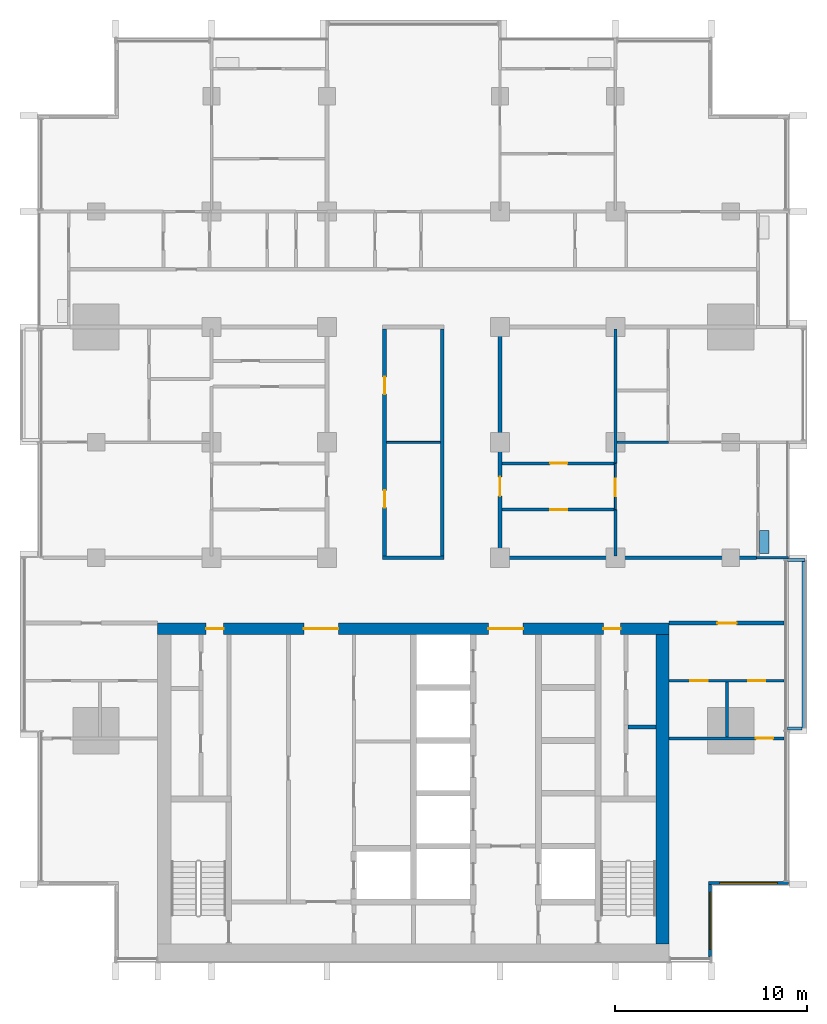
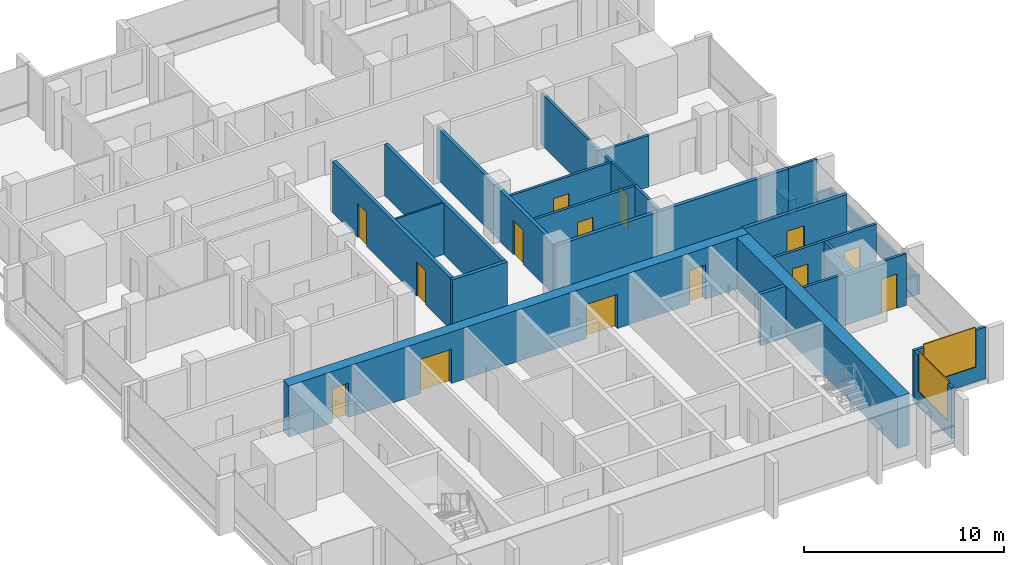
# One storey, part 9 of 17: 26 walls, 14 doors, 2 windows, 16 openings.
"""IFC4 building model written with IfcOpenShell, lengths in metres."""

from ifc_helpers import new_model, si_unit, direction, frame, frame_2d, origin, place, context, subcontext, project, spatial, rectangle, extrude, material, layer, layer_set, type_object, element, fill, save


model = new_model("IFC4")

# Units and contexts
model_context = context("Model", 3, precision=1e-05, world=origin(), true_north=direction((0.0, 1.0)))
body_context = subcontext(model_context, "Body", "Model", "MODEL_VIEW")
ifc_project = project(units=[si_unit("LENGTHUNIT", "METRE"), si_unit("AREAUNIT", "SQUARE_METRE"), si_unit("VOLUMEUNIT", "CUBIC_METRE"), si_unit("PLANEANGLEUNIT", "RADIAN"), si_unit("MASSUNIT", "GRAM", prefix="KILO")], contexts=[model_context])

# Site, building, storey
site_placement = place(None, origin())
site = spatial("IfcSite", under=ifc_project, at=site_placement, CompositionType="ELEMENT")
building_placement = place(site_placement, origin())
building = spatial("IfcBuilding", under=site, at=building_placement, Name="Finial Court Residences", CompositionType="ELEMENT")
storey_placement = place(building_placement, frame((0.0, 0.0, 196.10009765625)))
storey = spatial("IfcBuildingStorey", under=building, at=storey_placement, Name="L49", CompositionType="ELEMENT", Elevation=196.10009765625)

# Wall, openings, doors
ifc_material_1 = material(Name="Concrete C70/85", Category="concrete")
ifc_layer_1 = layer(ifc_material_1, 0.60009765625)
ifc_layer_set_1 = layer_set([ifc_layer_1], Name="Core outer wall 600 Concrete C70/85")
wall_type_1 = type_object("IfcWallType", Name="Core outer wall 600 Concrete C70/85", PredefinedType="SHEAR", material=ifc_layer_set_1)
wall_1_placement = place(storey_placement, frame((-13.300048828125, -8.199951171875, 0.0), z_axis=(0.0, 0.0, 1.0), x_axis=(1.0, 0.0, 0.0)))
wall_1 = element("IfcWall", 1, at=wall_1_placement, inside=storey, type_object=wall_type_1, Name="Core outer wall L49-02", PredefinedType="SHEAR", context=body_context, shape_type="SweptSolid", body=[
    extrude(rectangle(XDim=26.60009765625, YDim=0.60009765625, at=frame_2d((13.300048828125, 0.0))), origin(), (0.0, 0.0, 1.0), 3.14990234375),
])
opening_1_placement = place(wall_1_placement, frame((7.60009765625, 0.0, 0.0)))
opening_1 = element("IfcOpeningElement", 2, at=opening_1_placement, cuts=wall_1, Name="Opening L49-C04", PredefinedType="OPENING", context=body_context, shape_type="SweptSolid", body=[
    extrude(rectangle(XDim=1.800048828125, YDim=2.10009765625, at=frame_2d((0.89990234375, 1.050048828125))), frame((0.0, 0.31005859375, 0.0), z_axis=(0.0, -1.0, 0.0), x_axis=(1.0, 0.0, 0.0)), (0.0, 0.0, 1.0), 0.6201171875),
])
opening_2_placement = place(wall_1_placement, frame((17.199951171875, 0.0, 0.0)))
opening_2 = element("IfcOpeningElement", 3, at=opening_2_placement, cuts=wall_1, Name="Opening L49-C05", PredefinedType="OPENING", context=body_context, shape_type="SweptSolid", body=[
    extrude(rectangle(XDim=1.800048828125, YDim=2.10009765625, at=frame_2d((0.89990234375, 1.050048828125))), frame((0.0, 0.31005859375, 0.0), z_axis=(0.0, -1.0, 0.0), x_axis=(1.0, 0.0, 0.0)), (0.0, 0.0, 1.0), 0.6201171875),
])
opening_3_placement = place(wall_1_placement, frame((2.52490234375, 0.0, 0.0)))
opening_3 = element("IfcOpeningElement", 4, at=opening_3_placement, cuts=wall_1, Name="Opening L49-C10", PredefinedType="OPENING", context=body_context, shape_type="SweptSolid", body=[
    extrude(rectangle(XDim=0.89990234375, YDim=2.10009765625, at=frame_2d((0.449951171875, 1.050048828125))), frame((0.0, 0.31005859375, 0.0), z_axis=(0.0, -1.0, 0.0), x_axis=(1.0, 0.0, 0.0)), (0.0, 0.0, 1.0), 0.6201171875),
])
opening_4_placement = place(wall_1_placement, frame((23.175048828125, 0.0, 0.0)))
opening_4 = element("IfcOpeningElement", 5, at=opening_4_placement, cuts=wall_1, Name="Opening L49-C11", PredefinedType="OPENING", context=body_context, shape_type="SweptSolid", body=[
    extrude(rectangle(XDim=0.89990234375, YDim=2.10009765625, at=frame_2d((0.449951171875, 1.050048828125))), frame((0.0, 0.31005859375, 0.0), z_axis=(0.0, -1.0, 0.0), x_axis=(1.0, 0.0, 0.0)), (0.0, 0.0, 1.0), 0.6201171875),
])
ifc_material_2 = material(Name="Steel fire door", Category="steel")
door_type_1 = type_object("IfcDoorType", Name="Lift lobby door 1800 x 2100 EI 60", OperationType="DOUBLE_DOOR_SINGLE_SWING", PredefinedType="DOOR", material=ifc_material_2)
door_1_placement = place(opening_1_placement, origin())
door_1 = element("IfcDoor", 6, at=door_1_placement, inside=storey, type_object=door_type_1, Name="Lift lobby door L49-C04", OperationType="DOUBLE_DOOR_SINGLE_SWING", OverallHeight=2.10009765625, OverallWidth=1.800048828125, PredefinedType="DOOR", context=body_context, shape_type="SweptSolid", body=[
    extrude(rectangle(XDim=1.800048828125, YDim=2.10009765625, at=frame_2d((0.89990234375, 1.050048828125))), frame((0.0, 0.02490234375, 0.0), z_axis=(0.0, -1.0, 0.0), x_axis=(1.0, 0.0, 0.0)), (0.0, 0.0, 1.0), 0.050048828125),
])
fill(opening_1, door_1)
door_2_placement = place(opening_2_placement, origin())
door_2 = element("IfcDoor", 7, at=door_2_placement, inside=storey, type_object=door_type_1, Name="Lift lobby door L49-C05", OperationType="DOUBLE_DOOR_SINGLE_SWING", OverallHeight=2.10009765625, OverallWidth=1.800048828125, PredefinedType="DOOR", context=body_context, shape_type="SweptSolid", body=[
    extrude(rectangle(XDim=1.800048828125, YDim=2.10009765625, at=frame_2d((0.89990234375, 1.050048828125))), frame((0.0, 0.02490234375, 0.0), z_axis=(0.0, -1.0, 0.0), x_axis=(1.0, 0.0, 0.0)), (0.0, 0.0, 1.0), 0.050048828125),
])
fill(opening_2, door_2)
door_type_2 = type_object("IfcDoorType", Name="Riser room door 900 x 2100 EI 90", OperationType="NOTDEFINED", PredefinedType="DOOR", material=ifc_material_2)
door_3_placement = place(opening_3_placement, origin())
door_3 = element("IfcDoor", 8, at=door_3_placement, inside=storey, type_object=door_type_2, Name="Riser room door L49-C10", OperationType="SINGLE_SWING_RIGHT", OverallHeight=2.10009765625, OverallWidth=0.89990234375, PredefinedType="DOOR", context=body_context, shape_type="SweptSolid", body=[
    extrude(rectangle(XDim=0.89990234375, YDim=2.10009765625, at=frame_2d((0.449951171875, 1.050048828125))), frame((0.0, 0.02490234375, 0.0), z_axis=(0.0, -1.0, 0.0), x_axis=(1.0, 0.0, 0.0)), (0.0, 0.0, 1.0), 0.050048828125),
])
fill(opening_3, door_3)
door_4_placement = place(opening_4_placement, origin())
door_4 = element("IfcDoor", 9, at=door_4_placement, inside=storey, type_object=door_type_2, Name="Riser room door L49-C11", OperationType="SINGLE_SWING_LEFT", OverallHeight=2.10009765625, OverallWidth=0.89990234375, PredefinedType="DOOR", context=body_context, shape_type="SweptSolid", body=[
    extrude(rectangle(XDim=0.89990234375, YDim=2.10009765625, at=frame_2d((0.449951171875, 1.050048828125))), frame((0.0, 0.02490234375, 0.0), z_axis=(0.0, -1.0, 0.0), x_axis=(1.0, 0.0, 0.0)), (0.0, 0.0, 1.0), 0.050048828125),
])
fill(opening_4, door_4)

# Wall
ifc_layer_2 = layer(ifc_material_1, 0.699951171875)
ifc_layer_set_2 = layer_set([ifc_layer_2], Name="Core outer wall 700 Concrete C70/85")
wall_type_2 = type_object("IfcWallType", Name="Core outer wall 700 Concrete C70/85", PredefinedType="SHEAR", material=ifc_layer_set_2)
wall_2_placement = place(storey_placement, frame((12.949951171875, -24.60009765625, 0.0), z_axis=(0.0, 0.0, 1.0), x_axis=(0.0, 1.0, 0.0)))
element("IfcWall", 10, at=wall_2_placement, inside=storey, type_object=wall_type_2, Name="Core outer wall L49-04", PredefinedType="SHEAR", context=body_context, shape_type="SweptSolid", body=[
    extrude(rectangle(XDim=16.10009765625, YDim=0.699951171875, at=frame_2d((8.050048828125, 0.0))), origin(), (0.0, 0.0, 1.0), 3.14990234375),
])

# Wall, opening, door
ifc_material_3 = material(Name="Gypsum board")
ifc_layer_3 = layer(ifc_material_3, 0.02490234375)
ifc_material_4 = material(Name="Acoustic mineral wool in double frame")
ifc_layer_4 = layer(ifc_material_4, 0.14990234375)
ifc_layer_5 = layer(ifc_material_3, 0.02490234375)
ifc_layer_set_3 = layer_set([ifc_layer_3, ifc_layer_4, ifc_layer_5], Name="Corridor wall 200, 1 hour")
wall_type_3 = type_object("IfcWallType", Name="Corridor wall 200, 1 hour", PredefinedType="PARTITIONING", material=ifc_layer_set_3)
wall_3_placement = place(storey_placement, frame((13.300048828125, -7.89990234375, 0.0), z_axis=(0.0, 0.0, 1.0), x_axis=(1.0, 0.0, 0.0)))
wall_3 = element("IfcWall", 11, at=wall_3_placement, inside=storey, type_object=wall_type_3, Name="Partition L49-005", PredefinedType="PARTITIONING", context=body_context, shape_type="SweptSolid", body=[
    extrude(rectangle(XDim=5.96240234375, YDim=0.199951171875, at=frame_2d((2.981201171875, 0.0))), origin(), (0.0, 0.0, 1.0), 3.14990234375),
])
opening_5_placement = place(wall_3_placement, frame((2.5, 0.0, 0.0)))
opening_5 = element("IfcOpeningElement", 12, at=opening_5_placement, cuts=wall_3, Name="Opening L49-D008", PredefinedType="OPENING", context=body_context, shape_type="SweptSolid", body=[
    extrude(rectangle(XDim=1.0, YDim=2.10009765625, at=frame_2d((0.5, 1.050048828125))), frame((0.0, 0.10986328125, 0.0), z_axis=(0.0, -1.0, 0.0), x_axis=(1.0, 0.0, 0.0)), (0.0, 0.0, 1.0), 0.219970703125),
])
ifc_material_5 = material(Name="Timber door leaf in hollow metal frame", Category="wood")
door_type_3 = type_object("IfcDoorType", Name="Fire door set 1000 x 2100, 30 minutes", OperationType="SINGLE_SWING_LEFT", PredefinedType="DOOR", material=ifc_material_5)
door_5_placement = place(opening_5_placement, origin())
door_5 = element("IfcDoor", 13, at=door_5_placement, inside=storey, type_object=door_type_3, Name="Door L49-D008", OperationType="SINGLE_SWING_RIGHT", OverallHeight=2.10009765625, OverallWidth=1.0, PredefinedType="DOOR", context=body_context, shape_type="SweptSolid", body=[
    extrude(rectangle(XDim=1.0, YDim=2.10009765625, at=frame_2d((0.5, 1.050048828125))), frame((0.0, 0.02490234375, 0.0), z_axis=(0.0, -1.0, 0.0), x_axis=(1.0, 0.0, 0.0)), (0.0, 0.0, 1.0), 0.050048828125),
])
fill(opening_5, door_5)

# Walls
wall_4_placement = place(storey_placement, frame((-1.60009765625, -4.5, 0.0), z_axis=(0.0, 0.0, 1.0), x_axis=(1.0, 0.0, 0.0)))
element("IfcWall", 14, at=wall_4_placement, inside=storey, type_object=wall_type_3, Name="Partition L49-007", PredefinedType="PARTITIONING", context=body_context, shape_type="SweptSolid", body=[
    extrude(rectangle(XDim=3.2001953125, YDim=0.199951171875, at=frame_2d((1.60009765625, 0.0))), origin(), (0.0, 0.0, 1.0), 3.14990234375),
])
wall_5_placement = place(storey_placement, frame((4.39990234375, -4.5, 0.0), z_axis=(0.0, 0.0, 1.0), x_axis=(1.0, 0.0, 0.0)))
element("IfcWall", 15, at=wall_5_placement, inside=storey, type_object=wall_type_3, Name="Partition L49-008", PredefinedType="PARTITIONING", context=body_context, shape_type="SweptSolid", body=[
    extrude(rectangle(XDim=13.4501953125, YDim=0.199951171875, at=frame_2d((6.72509765625, 0.0))), origin(), (0.0, 0.0, 1.0), 3.14990234375),
])

# Wall, openings, doors
wall_6_placement = place(storey_placement, frame((-1.5, -4.39990234375, 0.0), z_axis=(0.0, 0.0, 1.0), x_axis=(0.0, 1.0, 0.0)))
wall_6 = element("IfcWall", 16, at=wall_6_placement, inside=storey, type_object=wall_type_3, Name="Partition L49-051", PredefinedType="PARTITIONING", context=body_context, shape_type="SweptSolid", body=[
    extrude(rectangle(XDim=11.7998046875, YDim=0.199951171875, at=frame_2d((5.89990234375, 0.0))), origin(), (0.0, 0.0, 1.0), 3.14990234375),
])
opening_6_placement = place(wall_6_placement, frame((2.5, 0.0, 0.0)))
opening_6 = element("IfcOpeningElement", 17, at=opening_6_placement, cuts=wall_6, Name="Opening L49-D034", PredefinedType="OPENING", context=body_context, shape_type="SweptSolid", body=[
    extrude(rectangle(XDim=0.89990234375, YDim=2.10009765625, at=frame_2d((0.449951171875, 1.050048828125))), frame((0.0, 0.10986328125, 0.0), z_axis=(0.0, -1.0, 0.0), x_axis=(1.0, 0.0, 0.0)), (0.0, 0.0, 1.0), 0.219970703125),
])
opening_7_placement = place(wall_6_placement, frame((8.39990234375, 0.0, 0.0)))
opening_7 = element("IfcOpeningElement", 18, at=opening_7_placement, cuts=wall_6, Name="Opening L49-D035", PredefinedType="OPENING", context=body_context, shape_type="SweptSolid", body=[
    extrude(rectangle(XDim=0.89990234375, YDim=2.10009765625, at=frame_2d((0.449951171875, 1.050048828125))), frame((0.0, 0.10986328125, 0.0), z_axis=(0.0, -1.0, 0.0), x_axis=(1.0, 0.0, 0.0)), (0.0, 0.0, 1.0), 0.219970703125),
])
door_type_4 = type_object("IfcDoorType", Name="Fire door set 900 x 2100, 30 minutes", OperationType="SINGLE_SWING_LEFT", PredefinedType="DOOR", material=ifc_material_5)
door_6_placement = place(opening_6_placement, origin())
door_6 = element("IfcDoor", 19, at=door_6_placement, inside=storey, type_object=door_type_4, Name="Door L49-D034", OperationType="SINGLE_SWING_LEFT", OverallHeight=2.10009765625, OverallWidth=0.89990234375, PredefinedType="DOOR", context=body_context, shape_type="SweptSolid", body=[
    extrude(rectangle(XDim=0.89990234375, YDim=2.10009765625, at=frame_2d((0.449951171875, 1.050048828125))), frame((0.0, 0.02490234375, 0.0), z_axis=(0.0, -1.0, 0.0), x_axis=(1.0, 0.0, 0.0)), (0.0, 0.0, 1.0), 0.050048828125),
])
fill(opening_6, door_6)
door_7_placement = place(opening_7_placement, origin())
door_7 = element("IfcDoor", 20, at=door_7_placement, inside=storey, type_object=door_type_4, Name="Door L49-D035", OperationType="SINGLE_SWING_RIGHT", OverallHeight=2.10009765625, OverallWidth=0.89990234375, PredefinedType="DOOR", context=body_context, shape_type="SweptSolid", body=[
    extrude(rectangle(XDim=0.89990234375, YDim=2.10009765625, at=frame_2d((0.449951171875, 1.050048828125))), frame((0.0, 0.02490234375, 0.0), z_axis=(0.0, -1.0, 0.0), x_axis=(1.0, 0.0, 0.0)), (0.0, 0.0, 1.0), 0.050048828125),
])
fill(opening_7, door_7)

# Wall
wall_7_placement = place(storey_placement, frame((1.5, -4.39990234375, 0.0), z_axis=(0.0, 0.0, 1.0), x_axis=(0.0, 1.0, 0.0)))
element("IfcWall", 21, at=wall_7_placement, inside=storey, type_object=wall_type_3, Name="Partition L49-053", PredefinedType="PARTITIONING", context=body_context, shape_type="SweptSolid", body=[
    extrude(rectangle(XDim=11.7998046875, YDim=0.199951171875, at=frame_2d((5.89990234375, 0.0))), origin(), (0.0, 0.0, 1.0), 3.14990234375),
])

# Wall, opening, door
wall_8_placement = place(storey_placement, frame((4.5, -4.39990234375, 0.0), z_axis=(0.0, 0.0, 1.0), x_axis=(0.0, 1.0, 0.0)))
wall_8 = element("IfcWall", 22, at=wall_8_placement, inside=storey, type_object=wall_type_3, Name="Partition L49-054", PredefinedType="PARTITIONING", context=body_context, shape_type="SweptSolid", body=[
    extrude(rectangle(XDim=11.7998046875, YDim=0.199951171875, at=frame_2d((5.89990234375, 0.0))), origin(), (0.0, 0.0, 1.0), 3.14990234375),
])
opening_8_placement = place(wall_8_placement, frame((3.10009765625, 0.0, 0.0)))
opening_8 = element("IfcOpeningElement", 23, at=opening_8_placement, cuts=wall_8, Name="Opening L49-D037", PredefinedType="OPENING", context=body_context, shape_type="SweptSolid", body=[
    extrude(rectangle(XDim=1.0, YDim=2.10009765625, at=frame_2d((0.5, 1.050048828125))), frame((0.0, 0.10986328125, 0.0), z_axis=(0.0, -1.0, 0.0), x_axis=(1.0, 0.0, 0.0)), (0.0, 0.0, 1.0), 0.219970703125),
])
door_8_placement = place(opening_8_placement, origin())
door_8 = element("IfcDoor", 24, at=door_8_placement, inside=storey, type_object=door_type_3, Name="Door L49-D037", OperationType="SINGLE_SWING_LEFT", OverallHeight=2.10009765625, OverallWidth=1.0, PredefinedType="DOOR", context=body_context, shape_type="SweptSolid", body=[
    extrude(rectangle(XDim=1.0, YDim=2.10009765625, at=frame_2d((0.5, 1.050048828125))), frame((0.0, 0.02490234375, 0.0), z_axis=(0.0, -1.0, 0.0), x_axis=(1.0, 0.0, 0.0)), (0.0, 0.0, 1.0), 0.050048828125),
])
fill(opening_8, door_8)

# Wall
ifc_layer_6 = layer(ifc_material_3, 0.012451171875)
ifc_material_6 = material(Name="Mineral wool in light-gauge frame")
ifc_layer_7 = layer(ifc_material_6, 0.074951171875)
ifc_layer_8 = layer(ifc_material_3, 0.012451171875)
ifc_layer_set_4 = layer_set([ifc_layer_6, ifc_layer_7, ifc_layer_8], Name="Gypsum board partition 100")
wall_type_4 = type_object("IfcWallType", Name="Gypsum board partition 100", PredefinedType="PARTITIONING", material=ifc_layer_set_4)
wall_9_placement = place(storey_placement, frame((-1.39990234375, 1.5, 0.0), z_axis=(0.0, 0.0, 1.0), x_axis=(1.0, 0.0, 0.0)))
element("IfcWall", 25, at=wall_9_placement, inside=storey, type_object=wall_type_4, Name="Partition L49-014", PredefinedType="PARTITIONING", context=body_context, shape_type="SweptSolid", body=[
    extrude(rectangle(XDim=2.7998046875, YDim=0.10009765625, at=frame_2d((1.39990234375, 0.0))), origin(), (0.0, 0.0, 1.0), 3.14990234375),
])

# Wall, opening, door
wall_10_placement = place(storey_placement, frame((10.5, -2.0, 0.0), z_axis=(0.0, 0.0, 1.0), x_axis=(0.0, 1.0, 0.0)))
wall_10 = element("IfcWall", 26, at=wall_10_placement, inside=storey, type_object=wall_type_4, Name="Partition L49-057", PredefinedType="PARTITIONING", context=body_context, shape_type="SweptSolid", body=[
    extrude(rectangle(XDim=2.39990234375, YDim=0.10009765625, at=frame_2d((1.199951171875, 0.0))), origin(), (0.0, 0.0, 1.0), 3.14990234375),
])
opening_9_placement = place(wall_10_placement, frame((0.699951171875, 0.0, 0.0)))
opening_9 = element("IfcOpeningElement", 27, at=opening_9_placement, cuts=wall_10, Name="Opening L49-D040", PredefinedType="OPENING", context=body_context, shape_type="SweptSolid", body=[
    extrude(rectangle(XDim=0.89990234375, YDim=2.10009765625, at=frame_2d((0.449951171875, 1.050048828125))), frame((0.0, 0.06005859375, 0.0), z_axis=(0.0, -1.0, 0.0), x_axis=(1.0, 0.0, 0.0)), (0.0, 0.0, 1.0), 0.1201171875),
])
ifc_material_7 = material(Name="Timber door leaf in timber frame", Category="wood")
door_type_5 = type_object("IfcDoorType", Name="Door set 900 x 2100", OperationType="SINGLE_SWING_LEFT", PredefinedType="DOOR", material=ifc_material_7)
door_9_placement = place(opening_9_placement, origin())
door_9 = element("IfcDoor", 28, at=door_9_placement, inside=storey, type_object=door_type_5, Name="Door L49-D040", OperationType="SINGLE_SWING_LEFT", OverallHeight=2.10009765625, OverallWidth=0.89990234375, PredefinedType="DOOR", context=body_context, shape_type="SweptSolid", body=[
    extrude(rectangle(XDim=0.89990234375, YDim=2.10009765625, at=frame_2d((0.449951171875, 1.050048828125))), frame((0.0, 0.02490234375, 0.0), z_axis=(0.0, -1.0, 0.0), x_axis=(1.0, 0.0, 0.0)), (0.0, 0.0, 1.0), 0.050048828125),
])
fill(opening_9, door_9)

ifc_material_8 = material(Name="Moisture-resistant gypsum board")
ifc_layer_9 = layer(ifc_material_8, 0.012451171875)
ifc_layer_10 = layer(ifc_material_6, 0.125)
ifc_layer_11 = layer(ifc_material_8, 0.012451171875)
ifc_layer_set_5 = layer_set([ifc_layer_9, ifc_layer_10, ifc_layer_11], Name="Gypsum board wet-area partition 150")
wall_type_5 = type_object("IfcWallType", Name="Gypsum board wet-area partition 150", PredefinedType="PARTITIONING", material=ifc_layer_set_5)
wall_11_placement = place(storey_placement, frame((13.300048828125, -13.89990234375, 0.0), z_axis=(0.0, 0.0, 1.0), x_axis=(1.0, 0.0, 0.0)))
wall_11 = element("IfcWall", 29, at=wall_11_placement, inside=storey, type_object=wall_type_5, Name="Partition L49-001", PredefinedType="PARTITIONING", context=body_context, shape_type="SweptSolid", body=[
    extrude(rectangle(XDim=5.96240234375, YDim=0.14990234375, at=frame_2d((2.981201171875, 0.0))), origin(), (0.0, 0.0, 1.0), 3.14990234375),
])
opening_10_placement = place(wall_11_placement, frame((4.5, 0.0, 0.0)))
opening_10 = element("IfcOpeningElement", 30, at=opening_10_placement, cuts=wall_11, Name="Opening L49-D002", PredefinedType="OPENING", context=body_context, shape_type="SweptSolid", body=[
    extrude(rectangle(XDim=0.89990234375, YDim=2.10009765625, at=frame_2d((0.449951171875, 1.050048828125))), frame((0.0, 0.0849609375, 0.0), z_axis=(0.0, -1.0, 0.0), x_axis=(1.0, 0.0, 0.0)), (0.0, 0.0, 1.0), 0.169921875),
])
door_10_placement = place(opening_10_placement, origin())
door_10 = element("IfcDoor", 31, at=door_10_placement, inside=storey, type_object=door_type_5, Name="Door L49-D002", OperationType="SINGLE_SWING_RIGHT", OverallHeight=2.10009765625, OverallWidth=0.89990234375, PredefinedType="DOOR", context=body_context, shape_type="SweptSolid", body=[
    extrude(rectangle(XDim=0.89990234375, YDim=2.10009765625, at=frame_2d((0.449951171875, 1.050048828125))), frame((0.0, 0.02490234375, 0.0), z_axis=(0.0, -1.0, 0.0), x_axis=(1.0, 0.0, 0.0)), (0.0, 0.0, 1.0), 0.050048828125),
])
fill(opening_10, door_10)

# Wall, openings, doors
wall_12_placement = place(storey_placement, frame((13.300048828125, -10.89990234375, 0.0), z_axis=(0.0, 0.0, 1.0), x_axis=(1.0, 0.0, 0.0)))
wall_12 = element("IfcWall", 32, at=wall_12_placement, inside=storey, type_object=wall_type_5, Name="Partition L49-003", PredefinedType="PARTITIONING", context=body_context, shape_type="SweptSolid", body=[
    extrude(rectangle(XDim=5.96240234375, YDim=0.14990234375, at=frame_2d((2.981201171875, 0.0))), origin(), (0.0, 0.0, 1.0), 3.14990234375),
])
opening_11_placement = place(wall_12_placement, frame((1.10009765625, 0.0, 0.0)))
opening_11 = element("IfcOpeningElement", 33, at=opening_11_placement, cuts=wall_12, Name="Opening L49-D005", PredefinedType="OPENING", context=body_context, shape_type="SweptSolid", body=[
    extrude(rectangle(XDim=0.89990234375, YDim=2.10009765625, at=frame_2d((0.449951171875, 1.050048828125))), frame((0.0, 0.0849609375, 0.0), z_axis=(0.0, -1.0, 0.0), x_axis=(1.0, 0.0, 0.0)), (0.0, 0.0, 1.0), 0.169921875),
])
opening_12_placement = place(wall_12_placement, frame((4.10009765625, 0.0, 0.0)))
opening_12 = element("IfcOpeningElement", 34, at=opening_12_placement, cuts=wall_12, Name="Opening L49-D006", PredefinedType="OPENING", context=body_context, shape_type="SweptSolid", body=[
    extrude(rectangle(XDim=0.89990234375, YDim=2.10009765625, at=frame_2d((0.449951171875, 1.050048828125))), frame((0.0, 0.0849609375, 0.0), z_axis=(0.0, -1.0, 0.0), x_axis=(1.0, 0.0, 0.0)), (0.0, 0.0, 1.0), 0.169921875),
])
door_11_placement = place(opening_11_placement, origin())
door_11 = element("IfcDoor", 35, at=door_11_placement, inside=storey, type_object=door_type_5, Name="Door L49-D005", OperationType="SINGLE_SWING_LEFT", OverallHeight=2.10009765625, OverallWidth=0.89990234375, PredefinedType="DOOR", context=body_context, shape_type="SweptSolid", body=[
    extrude(rectangle(XDim=0.89990234375, YDim=2.10009765625, at=frame_2d((0.449951171875, 1.050048828125))), frame((0.0, 0.02490234375, 0.0), z_axis=(0.0, -1.0, 0.0), x_axis=(1.0, 0.0, 0.0)), (0.0, 0.0, 1.0), 0.050048828125),
])
fill(opening_11, door_11)
door_12_placement = place(opening_12_placement, origin())
door_12 = element("IfcDoor", 36, at=door_12_placement, inside=storey, type_object=door_type_5, Name="Door L49-D006", OperationType="SINGLE_SWING_RIGHT", OverallHeight=2.10009765625, OverallWidth=0.89990234375, PredefinedType="DOOR", context=body_context, shape_type="SweptSolid", body=[
    extrude(rectangle(XDim=0.89990234375, YDim=2.10009765625, at=frame_2d((0.449951171875, 1.050048828125))), frame((0.0, 0.02490234375, 0.0), z_axis=(0.0, -1.0, 0.0), x_axis=(1.0, 0.0, 0.0)), (0.0, 0.0, 1.0), 0.050048828125),
])
fill(opening_12, door_12)

# Wall, opening, door
wall_13_placement = place(storey_placement, frame((4.60009765625, -2.0, 0.0), z_axis=(0.0, 0.0, 1.0), x_axis=(1.0, 0.0, 0.0)))
wall_13 = element("IfcWall", 37, at=wall_13_placement, inside=storey, type_object=wall_type_5, Name="Partition L49-010", PredefinedType="PARTITIONING", context=body_context, shape_type="SweptSolid", body=[
    extrude(rectangle(XDim=5.824951171875, YDim=0.14990234375, at=frame_2d((2.91259765625, 0.0))), origin(), (0.0, 0.0, 1.0), 3.14990234375),
])
opening_13_placement = place(wall_13_placement, frame((2.5, 0.0, 0.0)))
opening_13 = element("IfcOpeningElement", 38, at=opening_13_placement, cuts=wall_13, Name="Opening L49-D010", PredefinedType="OPENING", context=body_context, shape_type="SweptSolid", body=[
    extrude(rectangle(XDim=0.89990234375, YDim=2.10009765625, at=frame_2d((0.449951171875, 1.050048828125))), frame((0.0, 0.0849609375, 0.0), z_axis=(0.0, -1.0, 0.0), x_axis=(1.0, 0.0, 0.0)), (0.0, 0.0, 1.0), 0.169921875),
])
door_13_placement = place(opening_13_placement, origin())
door_13 = element("IfcDoor", 39, at=door_13_placement, inside=storey, type_object=door_type_5, Name="Door L49-D010", OperationType="SINGLE_SWING_LEFT", OverallHeight=2.10009765625, OverallWidth=0.89990234375, PredefinedType="DOOR", context=body_context, shape_type="SweptSolid", body=[
    extrude(rectangle(XDim=0.89990234375, YDim=2.10009765625, at=frame_2d((0.449951171875, 1.050048828125))), frame((0.0, 0.02490234375, 0.0), z_axis=(0.0, -1.0, 0.0), x_axis=(1.0, 0.0, 0.0)), (0.0, 0.0, 1.0), 0.050048828125),
])
fill(opening_13, door_13)

wall_14_placement = place(storey_placement, frame((4.60009765625, 0.39990234375, 0.0), z_axis=(0.0, 0.0, 1.0), x_axis=(1.0, 0.0, 0.0)))
wall_14 = element("IfcWall", 40, at=wall_14_placement, inside=storey, type_object=wall_type_5, Name="Partition L49-012", PredefinedType="PARTITIONING", context=body_context, shape_type="SweptSolid", body=[
    extrude(rectangle(XDim=5.824951171875, YDim=0.14990234375, at=frame_2d((2.91259765625, 0.0))), origin(), (0.0, 0.0, 1.0), 3.14990234375),
])
opening_14_placement = place(wall_14_placement, frame((2.5, 0.0, 0.0)))
opening_14 = element("IfcOpeningElement", 41, at=opening_14_placement, cuts=wall_14, Name="Opening L49-D012", PredefinedType="OPENING", context=body_context, shape_type="SweptSolid", body=[
    extrude(rectangle(XDim=0.89990234375, YDim=2.10009765625, at=frame_2d((0.449951171875, 1.050048828125))), frame((0.0, 0.0849609375, 0.0), z_axis=(0.0, -1.0, 0.0), x_axis=(1.0, 0.0, 0.0)), (0.0, 0.0, 1.0), 0.169921875),
])
door_14_placement = place(opening_14_placement, origin())
door_14 = element("IfcDoor", 42, at=door_14_placement, inside=storey, type_object=door_type_5, Name="Door L49-D012", OperationType="SINGLE_SWING_RIGHT", OverallHeight=2.10009765625, OverallWidth=0.89990234375, PredefinedType="DOOR", context=body_context, shape_type="SweptSolid", body=[
    extrude(rectangle(XDim=0.89990234375, YDim=2.10009765625, at=frame_2d((0.449951171875, 1.050048828125))), frame((0.0, 0.02490234375, 0.0), z_axis=(0.0, -1.0, 0.0), x_axis=(1.0, 0.0, 0.0)), (0.0, 0.0, 1.0), 0.050048828125),
])
fill(opening_14, door_14)

# Walls
wall_15_placement = place(storey_placement, frame((10.574951171875, 1.5, 0.0), z_axis=(0.0, 0.0, 1.0), x_axis=(1.0, 0.0, 0.0)))
element("IfcWall", 43, at=wall_15_placement, inside=storey, type_object=wall_type_5, Name="Partition L49-016", PredefinedType="PARTITIONING", context=body_context, shape_type="SweptSolid", body=[
    extrude(rectangle(XDim=2.675048828125, YDim=0.14990234375, at=frame_2d((1.33740234375, 0.0))), origin(), (0.0, 0.0, 1.0), 3.14990234375),
])
wall_16_placement = place(storey_placement, frame((10.5, -4.39990234375, 0.0), z_axis=(0.0, 0.0, 1.0), x_axis=(0.0, 1.0, 0.0)))
element("IfcWall", 44, at=wall_16_placement, inside=storey, type_object=wall_type_5, Name="Partition L49-059", PredefinedType="PARTITIONING", context=body_context, shape_type="SweptSolid", body=[
    extrude(rectangle(XDim=2.39990234375, YDim=0.14990234375, at=frame_2d((1.199951171875, 0.0))), origin(), (0.0, 0.0, 1.0), 3.14990234375),
])
wall_17_placement = place(storey_placement, frame((10.5, 0.39990234375, 0.0), z_axis=(0.0, 0.0, 1.0), x_axis=(0.0, 1.0, 0.0)))
element("IfcWall", 45, at=wall_17_placement, inside=storey, type_object=wall_type_5, Name="Partition L49-060", PredefinedType="PARTITIONING", context=body_context, shape_type="SweptSolid", body=[
    extrude(rectangle(XDim=7.0, YDim=0.14990234375, at=frame_2d((3.5, 0.0))), origin(), (0.0, 0.0, 1.0), 3.14990234375),
])
wall_18_placement = place(storey_placement, frame((16.300048828125, -13.824951171875, 0.0), z_axis=(0.0, 0.0, 1.0), x_axis=(0.0, 1.0, 0.0)))
element("IfcWall", 46, at=wall_18_placement, inside=storey, type_object=wall_type_5, Name="Partition L49-064", PredefinedType="PARTITIONING", context=body_context, shape_type="SweptSolid", body=[
    extrude(rectangle(XDim=2.849853515625, YDim=0.14990234375, at=frame_2d((1.4248046875, 0.0))), origin(), (0.0, 0.0, 1.0), 3.14990234375),
])
ifc_material_9 = material(Name="Concrete C35/45", Category="concrete")
ifc_layer_12 = layer(ifc_material_9, 0.14990234375)
ifc_layer_set_6 = layer_set([ifc_layer_12], Name="Ledge parapet, Concrete C35/45 150")
wall_type_6 = type_object("IfcWallType", Name="Ledge parapet, Concrete C35/45 150", PredefinedType="PARAPET", material=ifc_layer_set_6)
wall_19_placement = place(storey_placement, frame((19.447509765625, -4.625, 0.0), z_axis=(0.0, 0.0, 1.0), x_axis=(1.0, 0.0, 0.0)))
element("IfcWall", 47, at=wall_19_placement, inside=storey, type_object=wall_type_6, Name="E-L49-LED2-P1", PredefinedType="PARAPET", context=body_context, shape_type="SweptSolid", body=[
    extrude(rectangle(XDim=0.902587890625, YDim=0.14990234375, at=frame_2d((0.451171875, 0.0))), origin(), (0.0, 0.0, 1.0), 1.14990234375),
])
wall_20_placement = place(storey_placement, frame((20.27490234375, -4.699951171875, 0.0), z_axis=(0.0, 0.0, 1.0), x_axis=(0.0, -1.0, 0.0)))
element("IfcWall", 48, at=wall_20_placement, inside=storey, type_object=wall_type_6, Name="E-L49-LED2-P2", PredefinedType="PARAPET", context=body_context, shape_type="SweptSolid", body=[
    extrude(rectangle(XDim=8.75, YDim=0.14990234375, at=frame_2d((4.375, 0.0))), origin(), (0.0, 0.0, 1.0), 1.14990234375),
])
wall_21_placement = place(storey_placement, frame((20.199951171875, -13.375, 0.0), z_axis=(0.0, 0.0, 1.0), x_axis=(-1.0, 0.0, 0.0)))
element("IfcWall", 49, at=wall_21_placement, inside=storey, type_object=wall_type_6, Name="E-L49-LED2-P3", PredefinedType="PARAPET", context=body_context, shape_type="SweptSolid", body=[
    extrude(rectangle(XDim=0.75244140625, YDim=0.14990234375, at=frame_2d((0.376220703125, 0.0))), origin(), (0.0, 0.0, 1.0), 1.14990234375),
])

# Wall, opening, window
ifc_material_10 = material(Name="Natural limestone", Category="masonry")
ifc_layer_13 = layer(ifc_material_10, 0.14990234375)
ifc_layer_set_7 = layer_set([ifc_layer_13], Name="Limestone clad wall 150")
wall_type_7 = type_object("IfcWallType", Name="Limestone clad wall 150", PredefinedType="SOLIDWALL", material=ifc_layer_set_7)
wall_22_placement = place(storey_placement, frame((15.425048828125, -21.5, 0.0), z_axis=(0.0, 0.0, 1.0), x_axis=(0.0, -1.0, 0.0)))
wall_22 = element("IfcWall", 50, at=wall_22_placement, inside=storey, type_object=wall_type_7, Name="E-L49-NWE15", PredefinedType="SOLIDWALL", context=body_context, shape_type="SweptSolid", body=[
    extrude(rectangle(XDim=3.762451171875, YDim=0.14990234375, at=frame_2d((1.88134765625, 0.0))), origin(), (0.0, 0.0, 1.0), 3.14990234375),
])
opening_15_placement = place(wall_22_placement, frame((0.4013671875, 0.0, 0.89990234375)))
opening_15 = element("IfcOpeningElement", 51, at=opening_15_placement, cuts=wall_22, Name="Opening WE49-03", PredefinedType="OPENING", context=body_context, shape_type="SweptSolid", body=[
    extrude(rectangle(XDim=2.9599609375, YDim=2.39990234375, at=frame_2d((1.47998046875, 1.199951171875))), frame((0.0, 0.0849609375, 0.0), z_axis=(0.0, -1.0, 0.0), x_axis=(1.0, 0.0, 0.0)), (0.0, 0.0, 1.0), 0.169921875),
])
ifc_material_11 = material(Name="Clear low-e glass", Category="glass")
window_type_1 = type_object("IfcWindowType", Name="Corner window 2960 x 2400", PartitioningType="SINGLE_PANEL", PredefinedType="WINDOW", material=ifc_material_11)
window_1_placement = place(opening_15_placement, origin())
window_1 = element("IfcWindow", 52, at=window_1_placement, inside=storey, type_object=window_type_1, Name="E-L49-NWE15-W1", OverallHeight=2.39990234375, OverallWidth=2.9599609375, PartitioningType="SINGLE_PANEL", PredefinedType="WINDOW", context=body_context, shape_type="SweptSolid", body=[
    extrude(rectangle(XDim=2.9599609375, YDim=2.39990234375, at=frame_2d((1.47998046875, 1.199951171875))), frame((0.0, 0.030029296875, 0.0), z_axis=(0.0, -1.0, 0.0), x_axis=(1.0, 0.0, 0.0)), (0.0, 0.0, 1.0), 0.06005859375),
])
fill(opening_15, window_1)

wall_23_placement = place(storey_placement, frame((19.5, -21.425048828125, 0.0), z_axis=(0.0, 0.0, 1.0), x_axis=(-1.0, 0.0, 0.0)))
wall_23 = element("IfcWall", 53, at=wall_23_placement, inside=storey, type_object=wall_type_7, Name="E-L49-NWS16", PredefinedType="SOLIDWALL", context=body_context, shape_type="SweptSolid", body=[
    extrude(rectangle(XDim=4.14990234375, YDim=0.14990234375, at=frame_2d((2.074951171875, 0.0))), origin(), (0.0, 0.0, 1.0), 3.14990234375),
])
opening_16_placement = place(wall_23_placement, frame((0.574951171875, 0.0, 0.89990234375)))
opening_16 = element("IfcOpeningElement", 54, at=opening_16_placement, cuts=wall_23, Name="Opening WE49-04", PredefinedType="OPENING", context=body_context, shape_type="SweptSolid", body=[
    extrude(rectangle(XDim=3.0, YDim=2.39990234375, at=frame_2d((1.5, 1.199951171875))), frame((0.0, 0.0849609375, 0.0), z_axis=(0.0, -1.0, 0.0), x_axis=(1.0, 0.0, 0.0)), (0.0, 0.0, 1.0), 0.169921875),
])
window_type_2 = type_object("IfcWindowType", Name="Corner window 3000 x 2400", PartitioningType="SINGLE_PANEL", PredefinedType="WINDOW", material=ifc_material_11)
window_2_placement = place(opening_16_placement, origin())
window_2 = element("IfcWindow", 55, at=window_2_placement, inside=storey, type_object=window_type_2, Name="E-L49-NWS16-W1", OverallHeight=2.39990234375, OverallWidth=3.0, PartitioningType="SINGLE_PANEL", PredefinedType="WINDOW", context=body_context, shape_type="SweptSolid", body=[
    extrude(rectangle(XDim=3.0, YDim=2.39990234375, at=frame_2d((1.5, 1.199951171875))), frame((0.0, 0.030029296875, 0.0), z_axis=(0.0, -1.0, 0.0), x_axis=(1.0, 0.0, 0.0)), (0.0, 0.0, 1.0), 0.06005859375),
])
fill(opening_16, window_2)

# Walls
wall_24_placement = place(storey_placement, frame((17.85009765625, -4.5, 0.0), z_axis=(0.0, 0.0, 1.0), x_axis=(1.0, 0.0, 0.0)))
element("IfcWall", 56, at=wall_24_placement, inside=storey, type_object=wall_type_7, Name="E-L49-BALE3-P1", PredefinedType="SOLIDWALL", context=body_context, shape_type="SweptSolid", body=[
    extrude(rectangle(XDim=1.64990234375, YDim=0.14990234375, at=frame_2d((0.824951171875, 0.0))), origin(), (0.0, 0.0, 1.0), 3.14990234375),
])
ifc_material_12 = material(Name="Concrete C40/50", Category="concrete")
ifc_layer_14 = layer(ifc_material_12, 0.10009765625)
ifc_material_13 = material(Name="Planting soil", Category="soil")
ifc_layer_15 = layer(ifc_material_13, 0.300048828125)
ifc_layer_16 = layer(ifc_material_12, 0.10009765625)
ifc_layer_set_8 = layer_set([ifc_layer_14, ifc_layer_15, ifc_layer_16], Name="Planter wall, balcony")
wall_type_8 = type_object("IfcWallType", Name="Planter wall, balcony", PredefinedType="USERDEFINED", material=ifc_layer_set_8)
wall_25_placement = place(storey_placement, frame((18.25, -4.27490234375, 0.0), z_axis=(0.0, 0.0, 1.0), x_axis=(0.0, 1.0, 0.0)))
element("IfcWall", 57, at=wall_25_placement, inside=storey, type_object=wall_type_8, Name="E-L49-BALE3-PL", ObjectType="PLANTER", PredefinedType="USERDEFINED", context=body_context, shape_type="SweptSolid", body=[
    extrude(rectangle(XDim=1.199951171875, YDim=0.5, at=frame_2d((0.60009765625, 0.0))), origin(), (0.0, 0.0, 1.0), 0.89990234375),
])
ifc_material_14 = material(Name="Fire-rated gypsum board partition")
ifc_layer_17 = layer(ifc_material_14, 0.199951171875)
ifc_layer_set_9 = layer_set([ifc_layer_17], Name="Riser room wall 200 EI 120")
wall_type_9 = type_object("IfcWallType", Name="Riser room wall 200 EI 120", PredefinedType="PARTITIONING", material=ifc_layer_set_9)
wall_26_placement = place(storey_placement, frame((11.14990234375, -13.300048828125, 0.0), z_axis=(0.0, 0.0, 1.0), x_axis=(1.0, 0.0, 0.0)))
element("IfcWall", 58, at=wall_26_placement, inside=storey, type_object=wall_type_9, Name="Core partition L49-16", PredefinedType="PARTITIONING", context=body_context, shape_type="SweptSolid", body=[
    extrude(rectangle(XDim=1.4501953125, YDim=0.199951171875, at=frame_2d((0.72509765625, 0.0))), origin(), (0.0, 0.0, 1.0), 3.14990234375),
])

save(model, "model.ifc")
